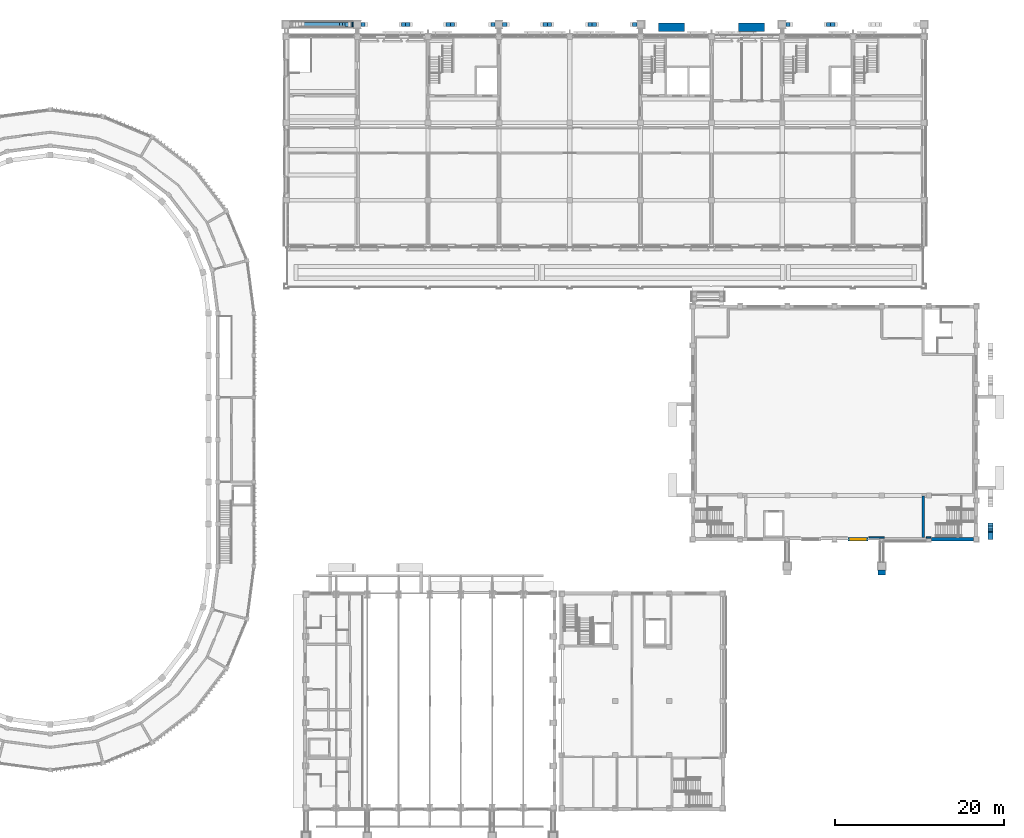
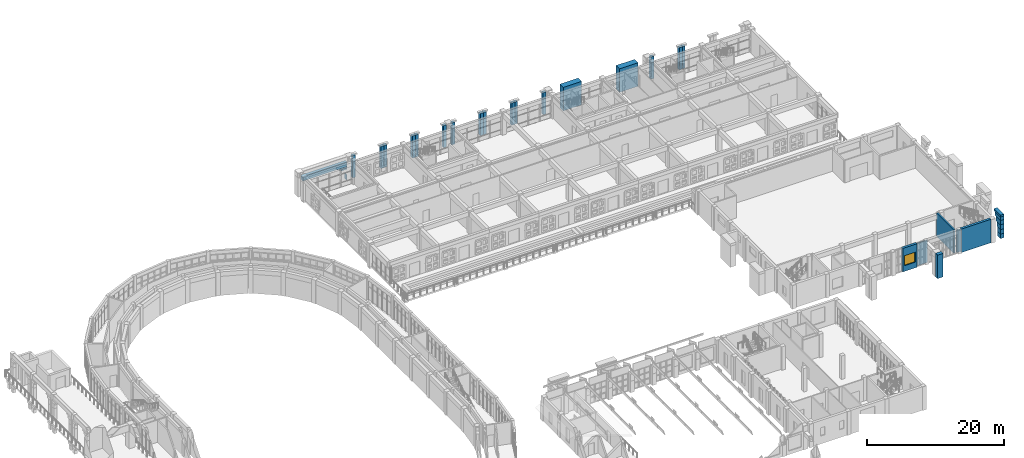
# One storey, part 67 of 99: 49 walls, 1 window, 1 opening.
"""IFC4 building model written with IfcOpenShell, lengths in metres."""

from ifc_helpers import new_model, si_unit, direction, frame, frame_2d, origin, place, context, subcontext, project, spatial, rectangle, extrude, material, layer, layer_set, type_object, element, fill, save


model = new_model("IFC4")

# Units and contexts
model_context = context("Model", 3, precision=1e-05, world=origin(), true_north=direction((0.0, 1.0)))
body_context = subcontext(model_context, "Body", "Model", "MODEL_VIEW")
ifc_project = project(units=[si_unit("LENGTHUNIT", "METRE"), si_unit("AREAUNIT", "SQUARE_METRE"), si_unit("VOLUMEUNIT", "CUBIC_METRE"), si_unit("PLANEANGLEUNIT", "RADIAN"), si_unit("MASSUNIT", "GRAM", prefix="KILO")], contexts=[model_context])

# Site, building, storey
site_placement = place(None, origin())
site = spatial("IfcSite", under=ifc_project, at=site_placement, CompositionType="ELEMENT")
building_placement = place(site_placement, origin())
building = spatial("IfcBuilding", under=site, at=building_placement, Name="Wasatch Bagh Community Centre", CompositionType="ELEMENT")
storey_placement = place(building_placement, frame((0.0, 0.0, 4.199951171875)))
storey = spatial("IfcBuildingStorey", under=building, at=storey_placement, Name="L01", CompositionType="ELEMENT", Elevation=4.199951171875)

# Walls
ifc_material_1 = material(Name="Concrete C40", Category="concrete")
ifc_layer_1 = layer(ifc_material_1, 0.60009765625)
ifc_layer_set_1 = layer_set([ifc_layer_1], Name="Concrete C40")
wall_type_1 = type_object("IfcWallType", Name="CL-W4", PredefinedType="STANDARD", material=ifc_layer_set_1)
wall_1_placement = place(storey_placement, frame((134.14990234375, 34.25, 0.0), z_axis=(0.0, 0.0, 1.0), x_axis=(1.0, 0.0, 0.0)))
element("IfcWall", 1, at=wall_1_placement, inside=storey, type_object=wall_type_1, Name="CL-W4 pier buttress SHP2", PredefinedType="STANDARD", context=body_context, shape_type="SweptSolid", body=[
    extrude(rectangle(XDim=0.900146484375, YDim=0.60009765625, at=frame_2d((0.4501953125, 0.0))), origin(), (0.0, 0.0, 1.0), 4.199951171875),
])
ifc_layer_2 = layer(ifc_material_1, 0.5)
ifc_layer_set_2 = layer_set([ifc_layer_2], Name="Concrete C40")
wall_type_2 = type_object("IfcWallType", Name="LW-W6", PredefinedType="STANDARD", material=ifc_layer_set_2)
wall_2_placement = place(storey_placement, frame((71.949951171875, 99.25, 0.0), z_axis=(0.0, 0.0, 1.0), x_axis=(-1.0, 0.0, 0.0)))
element("IfcWall", 2, at=wall_2_placement, inside=storey, type_object=wall_type_2, Name="LW-W6 arcade arch spandrel", PredefinedType="STANDARD", context=body_context, shape_type="SweptSolid", body=[
    extrude(rectangle(XDim=0.179931640625, YDim=0.5, at=frame_2d((0.08984375, 0.0))), origin(), (0.0, 0.0, 1.0), 0.900146484375),
])
wall_3_placement = place(storey_placement, frame((71.949951171875, 99.25, 1.900146484375), z_axis=(0.0, 0.0, 1.0), x_axis=(-1.0, 0.0, 0.0)))
element("IfcWall", 3, at=wall_3_placement, inside=storey, type_object=wall_type_2, Name="LW-W6 arcade arch spandrel", PredefinedType="STANDARD", context=body_context, shape_type="SweptSolid", body=[
    extrude(rectangle(XDim=1.009033203125, YDim=0.5, at=frame_2d((0.50439453125, 0.0))), origin(), (0.0, 0.0, 1.0), 0.25),
])
wall_4_placement = place(storey_placement, frame((71.949951171875, 99.25, 2.150146484375), z_axis=(0.0, 0.0, 1.0), x_axis=(-1.0, 0.0, 0.0)))
element("IfcWall", 4, at=wall_4_placement, inside=storey, type_object=wall_type_2, Name="LW-W6 arcade arch spandrel", PredefinedType="STANDARD", context=body_context, shape_type="SweptSolid", body=[
    extrude(rectangle(XDim=1.324462890625, YDim=0.5, at=frame_2d((0.662109375, 0.0))), origin(), (0.0, 0.0, 1.0), 0.199951171875),
])
wall_5_placement = place(storey_placement, frame((71.949951171875, 99.25, 2.35009765625), z_axis=(0.0, 0.0, 1.0), x_axis=(-1.0, 0.0, 0.0)))
element("IfcWall", 5, at=wall_5_placement, inside=storey, type_object=wall_type_2, Name="LW-W6 arcade arch spandrel", PredefinedType="STANDARD", context=body_context, shape_type="SweptSolid", body=[
    extrude(rectangle(XDim=1.6787109375, YDim=0.5, at=frame_2d((0.83935546875, 0.0))), origin(), (0.0, 0.0, 1.0), 0.050048828125),
])
wall_6_placement = place(storey_placement, frame((64.449951171875, 99.25, 2.400146484375), z_axis=(0.0, 0.0, 1.0), x_axis=(1.0, 0.0, 0.0)))
element("IfcWall", 6, at=wall_6_placement, inside=storey, type_object=wall_type_2, Name="LW-W6 arcade arch band", PredefinedType="STANDARD", context=body_context, shape_type="SweptSolid", body=[
    extrude(rectangle(XDim=7.5, YDim=0.5, at=frame_2d((3.75, 0.0))), origin(), (0.0, 0.0, 1.0), 0.7998046875),
])
for number, where, z_axis, x_axis, name in (
    (7, (72.85009765625, 99.25, 0.0), (0.0, 0.0, 1.0), (1.0, 0.0, 0.0), "LW-W6 arcade pier panel"),
    (8, (78.14990234375, 99.25, 0.0), (0.0, 0.0, 1.0), (-1.0, 0.0, 0.0), "LW-W6 arcade pier panel"),
):
    element("IfcWall", number, at=place(storey_placement, frame(where, z_axis=z_axis, x_axis=x_axis)), inside=storey, type_object=wall_type_2, Name=name, PredefinedType="STANDARD", context=body_context, shape_type="SweptSolid", body=[
        extrude(rectangle(XDim=0.5, YDim=0.5, at=frame_2d((0.25, 0.0))), origin(), (0.0, 0.0, 1.0), 2.85009765625),
    ])
for number, where, z_axis, x_axis, name in (
    (9, (72.85009765625, 99.25, 2.85009765625), (0.0, 0.0, 1.0), (1.0, 0.0, 0.0), "LW-W6 arcade arch spandrel"),
    (10, (78.14990234375, 99.25, 2.85009765625), (0.0, 0.0, 1.0), (-1.0, 0.0, 0.0), "LW-W6 arcade arch spandrel"),
):
    element("IfcWall", number, at=place(storey_placement, frame(where, z_axis=z_axis, x_axis=x_axis)), inside=storey, type_object=wall_type_2, Name=name, PredefinedType="STANDARD", context=body_context, shape_type="SweptSolid", body=[
        extrude(rectangle(XDim=0.5, YDim=0.5, at=frame_2d((0.25, 0.0))), origin(), (0.0, 0.0, 1.0), 1.099853515625),
    ])
for number, where, z_axis, x_axis, name in (
    (11, (78.14990234375, 99.25, 0.0), (0.0, 0.0, 1.0), (1.0, 0.0, 0.0), "LW-W6 arcade pier panel"),
    (12, (83.449951171875, 99.25, 0.0), (0.0, 0.0, 1.0), (-1.0, 0.0, 0.0), "LW-W6 arcade pier panel"),
):
    element("IfcWall", number, at=place(storey_placement, frame(where, z_axis=z_axis, x_axis=x_axis)), inside=storey, type_object=wall_type_2, Name=name, PredefinedType="STANDARD", context=body_context, shape_type="SweptSolid", body=[
        extrude(rectangle(XDim=0.5, YDim=0.5, at=frame_2d((0.25, 0.0))), origin(), (0.0, 0.0, 1.0), 2.85009765625),
    ])
for number, where, z_axis, x_axis, name in (
    (13, (78.14990234375, 99.25, 2.85009765625), (0.0, 0.0, 1.0), (1.0, 0.0, 0.0), "LW-W6 arcade arch spandrel"),
    (14, (83.449951171875, 99.25, 2.85009765625), (0.0, 0.0, 1.0), (-1.0, 0.0, 0.0), "LW-W6 arcade arch spandrel"),
):
    element("IfcWall", number, at=place(storey_placement, frame(where, z_axis=z_axis, x_axis=x_axis)), inside=storey, type_object=wall_type_2, Name=name, PredefinedType="STANDARD", context=body_context, shape_type="SweptSolid", body=[
        extrude(rectangle(XDim=0.5, YDim=0.5, at=frame_2d((0.25, 0.0))), origin(), (0.0, 0.0, 1.0), 1.099853515625),
    ])
for number, where, z_axis, x_axis, name in (
    (15, (83.449951171875, 99.25, 0.0), (0.0, 0.0, 1.0), (1.0, 0.0, 0.0), "LW-W6 arcade pier panel"),
    (16, (88.75, 99.25, 0.0), (0.0, 0.0, 1.0), (-1.0, 0.0, 0.0), "LW-W6 arcade pier panel"),
):
    element("IfcWall", number, at=place(storey_placement, frame(where, z_axis=z_axis, x_axis=x_axis)), inside=storey, type_object=wall_type_2, Name=name, PredefinedType="STANDARD", context=body_context, shape_type="SweptSolid", body=[
        extrude(rectangle(XDim=0.5, YDim=0.5, at=frame_2d((0.25, 0.0))), origin(), (0.0, 0.0, 1.0), 2.85009765625),
    ])
for number, where, z_axis, x_axis, name in (
    (17, (83.449951171875, 99.25, 2.85009765625), (0.0, 0.0, 1.0), (1.0, 0.0, 0.0), "LW-W6 arcade arch spandrel"),
    (18, (88.75, 99.25, 2.85009765625), (0.0, 0.0, 1.0), (-1.0, 0.0, 0.0), "LW-W6 arcade arch spandrel"),
):
    element("IfcWall", number, at=place(storey_placement, frame(where, z_axis=z_axis, x_axis=x_axis)), inside=storey, type_object=wall_type_2, Name=name, PredefinedType="STANDARD", context=body_context, shape_type="SweptSolid", body=[
        extrude(rectangle(XDim=0.5, YDim=0.5, at=frame_2d((0.25, 0.0))), origin(), (0.0, 0.0, 1.0), 1.099853515625),
    ])
for number, where, z_axis, x_axis, name in (
    (19, (89.64990234375, 99.25, 0.0), (0.0, 0.0, 1.0), (1.0, 0.0, 0.0), "LW-W6 arcade pier panel"),
    (20, (94.949951171875, 99.25, 0.0), (0.0, 0.0, 1.0), (-1.0, 0.0, 0.0), "LW-W6 arcade pier panel"),
):
    element("IfcWall", number, at=place(storey_placement, frame(where, z_axis=z_axis, x_axis=x_axis)), inside=storey, type_object=wall_type_2, Name=name, PredefinedType="STANDARD", context=body_context, shape_type="SweptSolid", body=[
        extrude(rectangle(XDim=0.5, YDim=0.5, at=frame_2d((0.25, 0.0))), origin(), (0.0, 0.0, 1.0), 2.85009765625),
    ])
for number, where, z_axis, x_axis, name in (
    (21, (89.64990234375, 99.25, 2.85009765625), (0.0, 0.0, 1.0), (1.0, 0.0, 0.0), "LW-W6 arcade arch spandrel"),
    (22, (94.949951171875, 99.25, 2.85009765625), (0.0, 0.0, 1.0), (-1.0, 0.0, 0.0), "LW-W6 arcade arch spandrel"),
):
    element("IfcWall", number, at=place(storey_placement, frame(where, z_axis=z_axis, x_axis=x_axis)), inside=storey, type_object=wall_type_2, Name=name, PredefinedType="STANDARD", context=body_context, shape_type="SweptSolid", body=[
        extrude(rectangle(XDim=0.5, YDim=0.5, at=frame_2d((0.25, 0.0))), origin(), (0.0, 0.0, 1.0), 1.099853515625),
    ])
for number, where, z_axis, x_axis, name in (
    (23, (94.949951171875, 99.25, 0.0), (0.0, 0.0, 1.0), (1.0, 0.0, 0.0), "LW-W6 arcade pier panel"),
    (24, (100.25, 99.25, 0.0), (0.0, 0.0, 1.0), (-1.0, 0.0, 0.0), "LW-W6 arcade pier panel"),
):
    element("IfcWall", number, at=place(storey_placement, frame(where, z_axis=z_axis, x_axis=x_axis)), inside=storey, type_object=wall_type_2, Name=name, PredefinedType="STANDARD", context=body_context, shape_type="SweptSolid", body=[
        extrude(rectangle(XDim=0.5, YDim=0.5, at=frame_2d((0.25, 0.0))), origin(), (0.0, 0.0, 1.0), 2.85009765625),
    ])
for number, where, z_axis, x_axis, name in (
    (25, (94.949951171875, 99.25, 2.85009765625), (0.0, 0.0, 1.0), (1.0, 0.0, 0.0), "LW-W6 arcade arch spandrel"),
    (26, (100.25, 99.25, 2.85009765625), (0.0, 0.0, 1.0), (-1.0, 0.0, 0.0), "LW-W6 arcade arch spandrel"),
):
    element("IfcWall", number, at=place(storey_placement, frame(where, z_axis=z_axis, x_axis=x_axis)), inside=storey, type_object=wall_type_2, Name=name, PredefinedType="STANDARD", context=body_context, shape_type="SweptSolid", body=[
        extrude(rectangle(XDim=0.5, YDim=0.5, at=frame_2d((0.25, 0.0))), origin(), (0.0, 0.0, 1.0), 1.099853515625),
    ])
for number, where, z_axis, x_axis, name in (
    (27, (100.25, 99.25, 0.0), (0.0, 0.0, 1.0), (1.0, 0.0, 0.0), "LW-W6 arcade pier panel"),
    (28, (105.550048828125, 99.25, 0.0), (0.0, 0.0, 1.0), (-1.0, 0.0, 0.0), "LW-W6 arcade pier panel"),
):
    element("IfcWall", number, at=place(storey_placement, frame(where, z_axis=z_axis, x_axis=x_axis)), inside=storey, type_object=wall_type_2, Name=name, PredefinedType="STANDARD", context=body_context, shape_type="SweptSolid", body=[
        extrude(rectangle(XDim=0.5, YDim=0.5, at=frame_2d((0.25, 0.0))), origin(), (0.0, 0.0, 1.0), 2.85009765625),
    ])
for number, where, z_axis, x_axis, name in (
    (29, (100.25, 99.25, 2.85009765625), (0.0, 0.0, 1.0), (1.0, 0.0, 0.0), "LW-W6 arcade arch spandrel"),
    (30, (105.550048828125, 99.25, 2.85009765625), (0.0, 0.0, 1.0), (-1.0, 0.0, 0.0), "LW-W6 arcade arch spandrel"),
):
    element("IfcWall", number, at=place(storey_placement, frame(where, z_axis=z_axis, x_axis=x_axis)), inside=storey, type_object=wall_type_2, Name=name, PredefinedType="STANDARD", context=body_context, shape_type="SweptSolid", body=[
        extrude(rectangle(XDim=0.5, YDim=0.5, at=frame_2d((0.25, 0.0))), origin(), (0.0, 0.0, 1.0), 1.099853515625),
    ])
for number, where, z_axis, x_axis, name in (
    (31, (123.25, 99.25, 0.0), (0.0, 0.0, 1.0), (1.0, 0.0, 0.0), "LW-W6 arcade pier panel"),
    (32, (128.550048828125, 99.25, 0.0), (0.0, 0.0, 1.0), (-1.0, 0.0, 0.0), "LW-W6 arcade pier panel"),
):
    element("IfcWall", number, at=place(storey_placement, frame(where, z_axis=z_axis, x_axis=x_axis)), inside=storey, type_object=wall_type_2, Name=name, PredefinedType="STANDARD", context=body_context, shape_type="SweptSolid", body=[
        extrude(rectangle(XDim=0.5, YDim=0.5, at=frame_2d((0.25, 0.0))), origin(), (0.0, 0.0, 1.0), 2.85009765625),
    ])
for number, where, z_axis, x_axis, name in (
    (33, (123.25, 99.25, 2.85009765625), (0.0, 0.0, 1.0), (1.0, 0.0, 0.0), "LW-W6 arcade arch spandrel"),
    (34, (128.550048828125, 99.25, 2.85009765625), (0.0, 0.0, 1.0), (-1.0, 0.0, 0.0), "LW-W6 arcade arch spandrel"),
):
    element("IfcWall", number, at=place(storey_placement, frame(where, z_axis=z_axis, x_axis=x_axis)), inside=storey, type_object=wall_type_2, Name=name, PredefinedType="STANDARD", context=body_context, shape_type="SweptSolid", body=[
        extrude(rectangle(XDim=0.5, YDim=0.5, at=frame_2d((0.25, 0.0))), origin(), (0.0, 0.0, 1.0), 1.099853515625),
    ])
wall_7_placement = place(storey_placement, frame((128.550048828125, 99.25, 0.0), z_axis=(0.0, 0.0, 1.0), x_axis=(1.0, 0.0, 0.0)))
element("IfcWall", 35, at=wall_7_placement, inside=storey, type_object=wall_type_2, Name="LW-W6 arcade pier panel", PredefinedType="STANDARD", context=body_context, shape_type="SweptSolid", body=[
    extrude(rectangle(XDim=0.5, YDim=0.5, at=frame_2d((0.25, 0.0))), origin(), (0.0, 0.0, 1.0), 2.85009765625),
])
wall_8_placement = place(storey_placement, frame((128.550048828125, 99.25, 2.85009765625), z_axis=(0.0, 0.0, 1.0), x_axis=(1.0, 0.0, 0.0)))
element("IfcWall", 36, at=wall_8_placement, inside=storey, type_object=wall_type_2, Name="LW-W6 arcade arch spandrel", PredefinedType="STANDARD", context=body_context, shape_type="SweptSolid", body=[
    extrude(rectangle(XDim=0.5, YDim=0.5, at=frame_2d((0.25, 0.0))), origin(), (0.0, 0.0, 1.0), 1.099853515625),
])
ifc_layer_3 = layer(ifc_material_1, 1.0)
ifc_layer_set_3 = layer_set([ifc_layer_3], Name="Concrete C40")
wall_type_3 = type_object("IfcWallType", Name="LWPQ-W6", PredefinedType="STANDARD", material=ifc_layer_set_3)
for number, where, z_axis, x_axis, name in (
    (37, (108.10009765625, 98.89990234375, 0.0), (0.0, 0.0, 1.0), (1.0, 0.0, 0.0), "LWPQ-W6 iwan pier panel"),
    (38, (120.699951171875, 98.89990234375, 0.0), (0.0, 0.0, 1.0), (-1.0, 0.0, 0.0), "LWPQ-W6 iwan pier panel"),
):
    element("IfcWall", number, at=place(storey_placement, frame(where, z_axis=z_axis, x_axis=x_axis)), inside=storey, type_object=wall_type_3, Name=name, PredefinedType="STANDARD", context=body_context, shape_type="SweptSolid", body=[
        extrude(rectangle(XDim=3.099853515625, YDim=1.0, at=frame_2d((1.5498046875, 0.0))), origin(), (0.0, 0.0, 1.0), 4.199951171875),
    ])
ifc_layer_4 = layer(ifc_material_1, 0.25)
ifc_layer_set_4 = layer_set([ifc_layer_4], Name="Concrete C40")
wall_type_4 = type_object("IfcWallType", Name="SH RC WALL 250 shear", PredefinedType="SHEAR", material=ifc_layer_set_4)
wall_9_placement = place(storey_placement, frame((139.52490234375, 38.39990234375, 0.0), z_axis=(0.0, 0.0, 1.0), x_axis=(0.0, 1.0, 0.0)))
element("IfcWall", 39, at=wall_9_placement, inside=storey, type_object=wall_type_4, Name="SH.core.ST2.L01.W", PredefinedType="SHEAR", context=body_context, shape_type="SweptSolid", body=[
    extrude(rectangle(XDim=4.9501953125, YDim=0.25, at=frame_2d((2.47509765625, 0.0))), origin(), (0.0, 0.0, 1.0), 4.199951171875),
])

# Wall, opening, window
ifc_layer_5 = layer(ifc_material_1, 0.39990234375)
ifc_layer_set_5 = layer_set([ifc_layer_5], Name="Concrete C40")
wall_type_5 = type_object("IfcWallType", Name="SH RC WALL 400 solidwall", PredefinedType="SOLIDWALL", material=ifc_layer_set_5)
wall_10_placement = place(storey_placement, frame((133.0, 38.199951171875, 0.0), z_axis=(0.0, 0.0, 1.0), x_axis=(-1.0, 0.0, 0.0)))
wall_10 = element("IfcWall", 40, at=wall_10_placement, inside=storey, type_object=wall_type_5, Name="SH.wall.L01.04", PredefinedType="SOLIDWALL", context=body_context, shape_type="SweptSolid", body=[
    extrude(rectangle(XDim=2.39990234375, YDim=0.39990234375, at=frame_2d((1.199951171875, 0.0))), origin(), (0.0, 0.0, 1.0), 4.199951171875),
])
opening_placement = place(wall_10_placement, frame((0.300048828125, 0.0, 1.0)))
opening = element("IfcOpeningElement", 41, at=opening_placement, cuts=wall_10, Name="Opening 1S-W02", PredefinedType="OPENING", context=body_context, shape_type="SweptSolid", body=[
    extrude(rectangle(XDim=1.800048828125, YDim=1.800048828125, at=frame_2d((0.89990234375, 0.89990234375))), frame((0.0, 0.2099609375, 0.0), z_axis=(0.0, -1.0, 0.0), x_axis=(1.0, 0.0, 0.0)), (0.0, 0.0, 1.0), 0.419921875),
])
ifc_material_2 = material(Name="Aluminium frame with double glazing", Category="aluminium")
window_type = type_object("IfcWindowType", Name="SH window 1800x1800", PartitioningType="SINGLE_PANEL", PredefinedType="WINDOW", material=ifc_material_2)
window_placement = place(opening_placement, origin())
window = element("IfcWindow", 42, at=window_placement, inside=storey, type_object=window_type, Name="SH.window.L01.1S-W02", OverallHeight=1.800048828125, OverallWidth=1.800048828125, PartitioningType="SINGLE_PANEL", PredefinedType="WINDOW", context=body_context, shape_type="SweptSolid", body=[
    extrude(rectangle(XDim=1.800048828125, YDim=1.800048828125, at=frame_2d((0.89990234375, 0.89990234375))), frame((0.0, 0.030029296875, 0.0), z_axis=(0.0, -1.0, 0.0), x_axis=(1.0, 0.0, 0.0)), (0.0, 0.0, 1.0), 0.06005859375),
])
fill(opening, window)

# Walls
wall_11_placement = place(storey_placement, frame((145.5, 38.199951171875, 0.0), z_axis=(0.0, 0.0, 1.0), x_axis=(-1.0, 0.0, 0.0)))
element("IfcWall", 43, at=wall_11_placement, inside=storey, type_object=wall_type_5, Name="SH.wall.L01.06", PredefinedType="SOLIDWALL", context=body_context, shape_type="SweptSolid", body=[
    extrude(rectangle(XDim=5.0, YDim=0.39990234375, at=frame_2d((2.5, 0.0))), origin(), (0.0, 0.0, 1.0), 4.199951171875),
])
ifc_material_3 = material(Name="Hollow block masonry, medium weight (ASTM Grade N)", Category="masonry")
ifc_layer_6 = layer(ifc_material_3, 0.18994140625)
ifc_layer_set_6 = layer_set([ifc_layer_6], Name="Hollow block masonry, medium weight (ASTM Grade N)")
wall_type_6 = type_object("IfcWallType", Name="SH partition 190", PredefinedType="PARTITIONING", material=ifc_layer_set_6)
wall_12_placement = place(storey_placement, frame((134.89990234375, 38.39990234375, 0.0), z_axis=(0.0, 0.0, 1.0), x_axis=(-1.0, 0.0, 0.0)))
element("IfcWall", 44, at=wall_12_placement, inside=storey, type_object=wall_type_6, Name="SH.part.L01.011", PredefinedType="PARTITIONING", context=body_context, shape_type="SweptSolid", body=[
    extrude(rectangle(XDim=1.81982421875, YDim=0.18994140625, at=frame_2d((0.909912109375, 0.0))), origin(), (0.0, 0.0, 1.0), 3.97998046875),
])
wall_13_placement = place(storey_placement, frame((139.89990234375, 38.39990234375, 0.0), z_axis=(0.0, 0.0, 1.0), x_axis=(1.0, 0.0, 0.0)))
element("IfcWall", 45, at=wall_13_placement, inside=storey, type_object=wall_type_6, Name="SH.part.L01.012", PredefinedType="PARTITIONING", context=body_context, shape_type="SweptSolid", body=[
    extrude(rectangle(XDim=0.52001953125, YDim=0.18994140625, at=frame_2d((0.260009765625, 0.0))), origin(), (0.0, 0.0, 1.0), 3.97998046875),
])
ifc_layer_7 = layer(ifc_material_1, 0.60009765625)
ifc_layer_set_7 = layer_set([ifc_layer_7], Name="Concrete C40")
wall_type_7 = type_object("IfcWallType", Name="SHB-W4", PredefinedType="STANDARD", material=ifc_layer_set_7)
wall_14_placement = place(storey_placement, frame((147.5, 38.199951171875, 0.0), z_axis=(0.0, 0.0, 1.0), x_axis=(0.0, 1.0, 0.0)))
element("IfcWall", 46, at=wall_14_placement, inside=storey, type_object=wall_type_7, Name="SHB-W4 gable arcade bay arch spandrel", PredefinedType="STANDARD", context=body_context, shape_type="SweptSolid", body=[
    extrude(rectangle(XDim=0.800048828125, YDim=0.60009765625, at=frame_2d((0.39990234375, 0.0))), origin(), (0.0, 0.0, 1.0), 0.800048828125),
])
wall_15_placement = place(storey_placement, frame((147.5, 38.199951171875, 0.800048828125), z_axis=(0.0, 0.0, 1.0), x_axis=(0.0, 1.0, 0.0)))
element("IfcWall", 47, at=wall_15_placement, inside=storey, type_object=wall_type_7, Name="SHB-W4 gable arcade bay arch spandrel", PredefinedType="STANDARD", context=body_context, shape_type="SweptSolid", body=[
    extrude(rectangle(XDim=0.845947265625, YDim=0.60009765625, at=frame_2d((0.4228515625, 0.0))), origin(), (0.0, 0.0, 1.0), 0.800048828125),
])
wall_16_placement = place(storey_placement, frame((147.5, 38.199951171875, 1.60009765625), z_axis=(0.0, 0.0, 1.0), x_axis=(0.0, 1.0, 0.0)))
element("IfcWall", 48, at=wall_16_placement, inside=storey, type_object=wall_type_7, Name="SHB-W4 gable arcade bay arch spandrel", PredefinedType="STANDARD", context=body_context, shape_type="SweptSolid", body=[
    extrude(rectangle(XDim=0.9853515625, YDim=0.60009765625, at=frame_2d((0.49267578125, 0.0))), origin(), (0.0, 0.0, 1.0), 0.849853515625),
])
wall_17_placement = place(storey_placement, frame((147.5, 38.199951171875, 2.449951171875), z_axis=(0.0, 0.0, 1.0), x_axis=(0.0, 1.0, 0.0)))
element("IfcWall", 49, at=wall_17_placement, inside=storey, type_object=wall_type_7, Name="SHB-W4 gable arcade bay arch spandrel", PredefinedType="STANDARD", context=body_context, shape_type="SweptSolid", body=[
    extrude(rectangle(XDim=1.24267578125, YDim=0.60009765625, at=frame_2d((0.621337890625, 0.0))), origin(), (0.0, 0.0, 1.0), 0.800048828125),
])
wall_18_placement = place(storey_placement, frame((147.5, 38.199951171875, 3.25), z_axis=(0.0, 0.0, 1.0), x_axis=(0.0, 1.0, 0.0)))
element("IfcWall", 50, at=wall_18_placement, inside=storey, type_object=wall_type_7, Name="SHB-W4 gable arcade bay arch spandrel", PredefinedType="STANDARD", context=body_context, shape_type="SweptSolid", body=[
    extrude(rectangle(XDim=1.599853515625, YDim=0.60009765625, at=frame_2d((0.7998046875, 0.0))), origin(), (0.0, 0.0, 1.0), 0.60009765625),
])
wall_19_placement = place(storey_placement, frame((147.5, 38.199951171875, 3.85009765625), z_axis=(0.0, 0.0, 1.0), x_axis=(0.0, 1.0, 0.0)))
element("IfcWall", 51, at=wall_19_placement, inside=storey, type_object=wall_type_7, Name="SHB-W4 gable arcade bay arch spandrel", PredefinedType="STANDARD", context=body_context, shape_type="SweptSolid", body=[
    extrude(rectangle(XDim=1.953369140625, YDim=0.60009765625, at=frame_2d((0.9765625, 0.0))), origin(), (0.0, 0.0, 1.0), 0.349853515625),
])

save(model, "model.ifc")
